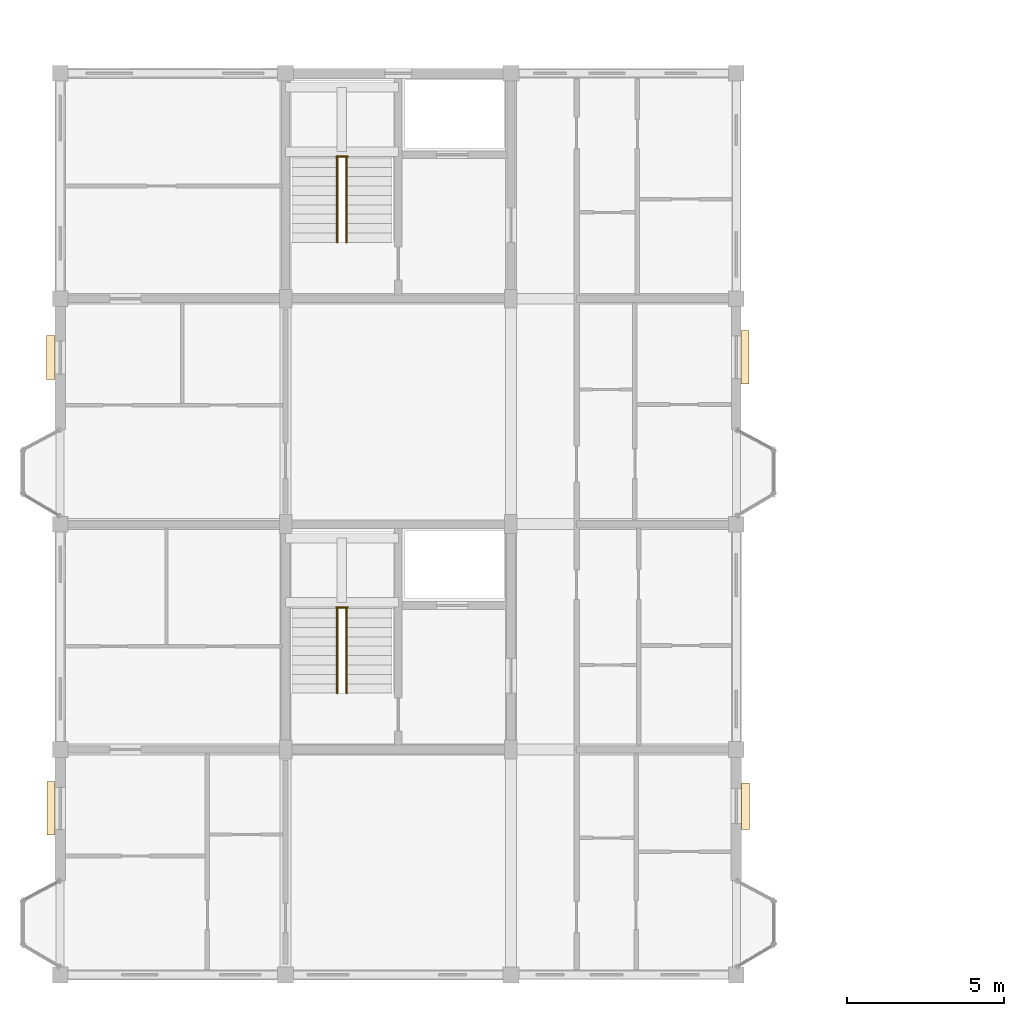
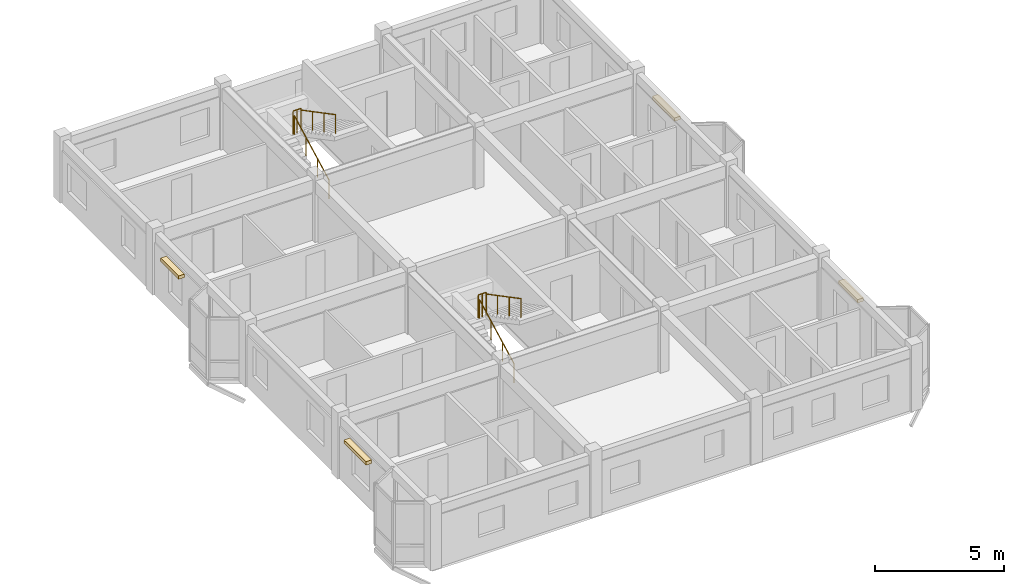
# One storey, part 68 of 70: 6 railings, 4 coverings.
"""IFC4 building model written with IfcOpenShell, lengths in metres."""

from ifc_helpers import new_model, si_unit, direction, frame, origin, origin_2d, place, context, subcontext, project, spatial, rectangle, circle, extrude, material, layer, layer_set, type_object, element, save


model = new_model("IFC4")

# Units and contexts
model_context = context("Model", 3, precision=1e-05, world=origin(), true_north=direction((0.0, 1.0)))
body_context = subcontext(model_context, "Body", "Model", "MODEL_VIEW")
ifc_project = project(units=[si_unit("LENGTHUNIT", "METRE"), si_unit("AREAUNIT", "SQUARE_METRE"), si_unit("VOLUMEUNIT", "CUBIC_METRE"), si_unit("PLANEANGLEUNIT", "RADIAN"), si_unit("MASSUNIT", "GRAM", prefix="KILO"), si_unit("THERMODYNAMICTEMPERATUREUNIT", "KELVIN"), si_unit("POWERUNIT", "WATT")], contexts=[model_context])

# Site, building, storey
site_placement = place(None, origin())
site = spatial("IfcSite", under=ifc_project, at=site_placement, CompositionType="ELEMENT")
building_placement = place(site_placement, origin())
building = spatial("IfcBuilding", under=site, at=building_placement, Name="Tavuni Mirador Residences", CompositionType="ELEMENT")
storey_placement = place(building_placement, frame((0.0, 0.0, 23.39990234375)))
storey = spatial("IfcBuildingStorey", under=building, at=storey_placement, Name="L07", CompositionType="ELEMENT", Elevation=23.39990234375)

# Coverings
ifc_material_1 = material(Name="Natural coral limestone", Category="masonry")
ifc_layer = layer(ifc_material_1, 0.054931640625, Name="Natural coral limestone", Category="masonry")
ifc_layer_set = layer_set([ifc_layer], Name="Natural coral limestone")
covering_type = type_object("IfcCoveringType", Name="CVT-CLAD-CORAL", PredefinedType="CLADDING", material=ifc_layer_set)
covering_1_placement = place(storey_placement, frame((25.491943359375, 70.18994140625, 2.06005859375), z_axis=(0.0, 0.0, 1.0), x_axis=(0.0, 1.0, 0.0)))
element("IfcCovering", 1, at=covering_1_placement, inside=storey, type_object=covering_type, Name="HOOD-0442", PredefinedType="CLADDING", context=body_context, shape_type="SweptSolid", body=[
    extrude(rectangle(XDim=1.47998046875, YDim=0.260009765625, at=origin_2d()), origin(), (0.0, 0.0, 1.0), 0.159912109375),
])
covering_2_placement = place(storey_placement, frame((25.4794921875, 84.530029296875, 2.06005859375), z_axis=(0.0, 0.0, 1.0), x_axis=(0.0, 1.0, 0.0)))
element("IfcCovering", 2, at=covering_2_placement, inside=storey, type_object=covering_type, Name="HOOD-0443", PredefinedType="CLADDING", context=body_context, shape_type="SweptSolid", body=[
    extrude(rectangle(XDim=1.719970703125, YDim=0.260009765625, at=origin_2d()), origin(), (0.0, 0.0, 1.0), 0.159912109375),
])
covering_3_placement = place(storey_placement, frame((3.300537109375, 84.52001953125, 2.240234375), z_axis=(0.0, 0.0, 1.0), x_axis=(0.0, -1.0, 0.0)))
element("IfcCovering", 3, at=covering_3_placement, inside=storey, type_object=covering_type, Name="HOOD-0444", PredefinedType="CLADDING", context=body_context, shape_type="SweptSolid", body=[
    extrude(rectangle(XDim=1.409912109375, YDim=0.260009765625, at=origin_2d()), origin(), (0.0, 0.0, 1.0), 0.159912109375),
])
covering_4_placement = place(storey_placement, frame((3.30810546875, 70.1201171875, 2.240234375), z_axis=(0.0, 0.0, 1.0), x_axis=(0.0, -1.0, 0.0)))
element("IfcCovering", 4, at=covering_4_placement, inside=storey, type_object=covering_type, Name="HOOD-0445", PredefinedType="CLADDING", context=body_context, shape_type="SweptSolid", body=[
    extrude(rectangle(XDim=1.7099609375, YDim=0.260009765625, at=origin_2d()), origin(), (0.0, 0.0, 1.0), 0.159912109375),
])

# Railings
ifc_material_2 = material(Name="Structural steel S355", Category="steel")
railing_type_1 = type_object("IfcRailingType", Name="RT-GR1120", PredefinedType="GUARDRAIL", material=ifc_material_2)
for number, where, name in (
    (5, (12.419921875, 76.5400390625, 1.5751953125), "GRD-HL-ST3-L07"),
    (6, (12.419921875, 90.93994140625, 1.5751953125), "GRD-HL-ST4-L07"),
):
    element("IfcRailing", number, at=place(storey_placement, frame(where)), inside=storey, type_object=railing_type_1, Name=name, PredefinedType="GUARDRAIL", context=body_context, shape_type="SweptSolid", body=[
        extrude(circle(Radius=0.02392578125, at=origin_2d()), frame((0.0, 0.0, 1.09619140625), z_axis=(1.0, 0.0, 0.0), x_axis=(0.0, 1.0, 0.0)), (0.0, 0.0, 1.0), 0.360107421875),
        extrude(circle(Radius=0.02099609375, at=origin_2d()), origin(), (0.0, 0.0, 1.0), 1.072021484375),
        extrude(circle(Radius=0.02099609375, at=origin_2d()), frame((0.18017578125, 0.0, 0.0)), (0.0, 0.0, 1.0), 1.072021484375),
        extrude(circle(Radius=0.02099609375, at=origin_2d()), frame((0.360107421875, 0.0, 0.0)), (0.0, 0.0, 1.0), 1.072021484375),
    ])
railing_type_2 = type_object("IfcRailingType", Name="RT-HR920", PredefinedType="HANDRAIL", material=ifc_material_2)
railing_1_placement = place(storey_placement, frame((12.449951171875, 73.800048828125, 0.15771484375)))
element("IfcRailing", 7, at=railing_1_placement, inside=storey, type_object=railing_type_2, Name="HR-ST3-L07-F1", PredefinedType="HANDRAIL", context=body_context, shape_type="SweptSolid", body=[
    extrude(circle(Radius=0.02392578125, at=origin_2d()), frame((0.0, 0.0, 0.89599609375), z_axis=(0.0, 0.885397079081, 0.464835468048), x_axis=(-1.0, 0.0, 0.0)), (0.0, 0.0, 1.0), 3.04931640625),
    extrude(circle(Radius=0.02099609375, at=origin_2d()), origin(), (0.0, 0.0, 1.0), 0.871826171875),
    extrude(circle(Radius=0.02099609375, at=origin_2d()), frame((0.0, 0.89990234375, 0.472412109375)), (0.0, 0.0, 1.0), 0.871826171875),
    extrude(circle(Radius=0.02099609375, at=origin_2d()), frame((0.0, 1.800048828125, 0.945068359375)), (0.0, 0.0, 1.0), 0.871826171875),
    extrude(circle(Radius=0.02099609375, at=origin_2d()), frame((0.0, 2.699951171875, 1.41748046875)), (0.0, 0.0, 1.0), 0.871826171875),
])
railing_2_placement = place(storey_placement, frame((12.75, 76.5, 1.732666015625)))
element("IfcRailing", 8, at=railing_2_placement, inside=storey, type_object=railing_type_2, Name="HR-ST3-L07-F2", PredefinedType="HANDRAIL", context=body_context, shape_type="SweptSolid", body=[
    extrude(circle(Radius=0.02392578125, at=origin_2d()), frame((0.0, 0.0, 0.89599609375), z_axis=(0.0, -0.885397079081, 0.464835468048), x_axis=(1.0, 0.0, 0.0)), (0.0, 0.0, 1.0), 3.04931640625),
    extrude(circle(Radius=0.02099609375, at=origin_2d()), origin(), (0.0, 0.0, 1.0), 0.871826171875),
    extrude(circle(Radius=0.02099609375, at=origin_2d()), frame((0.0, -0.89990234375, 0.472412109375)), (0.0, 0.0, 1.0), 0.871826171875),
    extrude(circle(Radius=0.02099609375, at=origin_2d()), frame((0.0, -1.800048828125, 0.945068359375)), (0.0, 0.0, 1.0), 0.871826171875),
    extrude(circle(Radius=0.02099609375, at=origin_2d()), frame((0.0, -2.699951171875, 1.41748046875)), (0.0, 0.0, 1.0), 0.871826171875),
])
railing_3_placement = place(storey_placement, frame((12.449951171875, 88.199951171875, 0.15771484375)))
element("IfcRailing", 9, at=railing_3_placement, inside=storey, type_object=railing_type_2, Name="HR-ST4-L07-F1", PredefinedType="HANDRAIL", context=body_context, shape_type="SweptSolid", body=[
    extrude(circle(Radius=0.02392578125, at=origin_2d()), frame((0.0, 0.0, 0.89599609375), z_axis=(0.0, 0.885397079081, 0.464835468048), x_axis=(-1.0, 0.0, 0.0)), (0.0, 0.0, 1.0), 3.04931640625),
    extrude(circle(Radius=0.02099609375, at=origin_2d()), origin(), (0.0, 0.0, 1.0), 0.871826171875),
    extrude(circle(Radius=0.02099609375, at=origin_2d()), frame((0.0, 0.89990234375, 0.472412109375)), (0.0, 0.0, 1.0), 0.871826171875),
    extrude(circle(Radius=0.02099609375, at=origin_2d()), frame((0.0, 1.800048828125, 0.945068359375)), (0.0, 0.0, 1.0), 0.871826171875),
    extrude(circle(Radius=0.02099609375, at=origin_2d()), frame((0.0, 2.699951171875, 1.41748046875)), (0.0, 0.0, 1.0), 0.871826171875),
])
railing_4_placement = place(storey_placement, frame((12.75, 90.89990234375, 1.732666015625)))
element("IfcRailing", 10, at=railing_4_placement, inside=storey, type_object=railing_type_2, Name="HR-ST4-L07-F2", PredefinedType="HANDRAIL", context=body_context, shape_type="SweptSolid", body=[
    extrude(circle(Radius=0.02392578125, at=origin_2d()), frame((0.0, 0.0, 0.89599609375), z_axis=(0.0, -0.885397079081, 0.464835468048), x_axis=(1.0, 0.0, 0.0)), (0.0, 0.0, 1.0), 3.04931640625),
    extrude(circle(Radius=0.02099609375, at=origin_2d()), origin(), (0.0, 0.0, 1.0), 0.871826171875),
    extrude(circle(Radius=0.02099609375, at=origin_2d()), frame((0.0, -0.89990234375, 0.472412109375)), (0.0, 0.0, 1.0), 0.871826171875),
    extrude(circle(Radius=0.02099609375, at=origin_2d()), frame((0.0, -1.800048828125, 0.945068359375)), (0.0, 0.0, 1.0), 0.871826171875),
    extrude(circle(Radius=0.02099609375, at=origin_2d()), frame((0.0, -2.699951171875, 1.41748046875)), (0.0, 0.0, 1.0), 0.871826171875),
])

save(model, "model.ifc")
